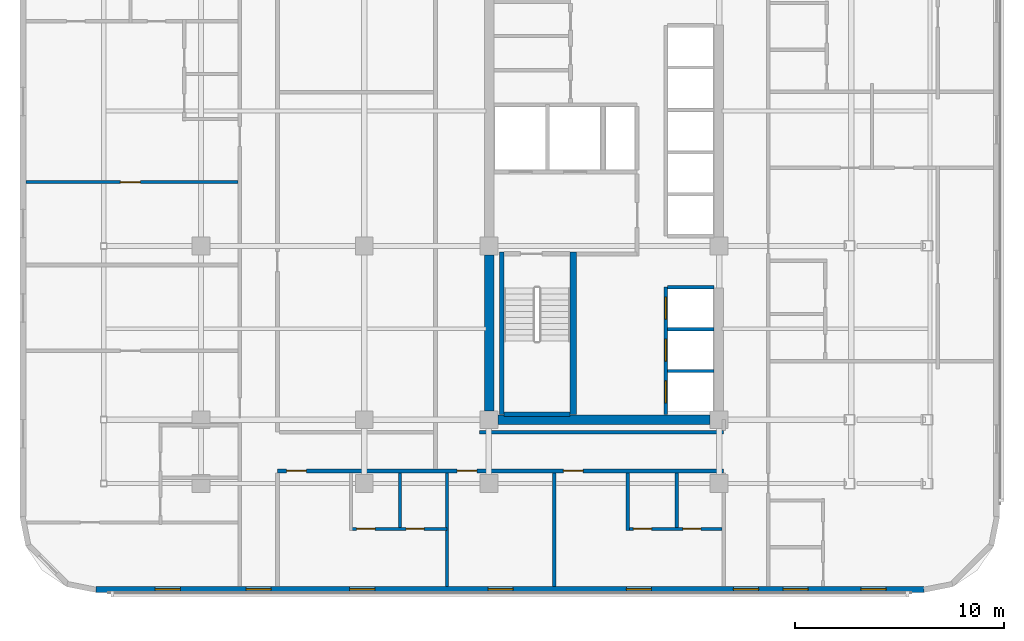
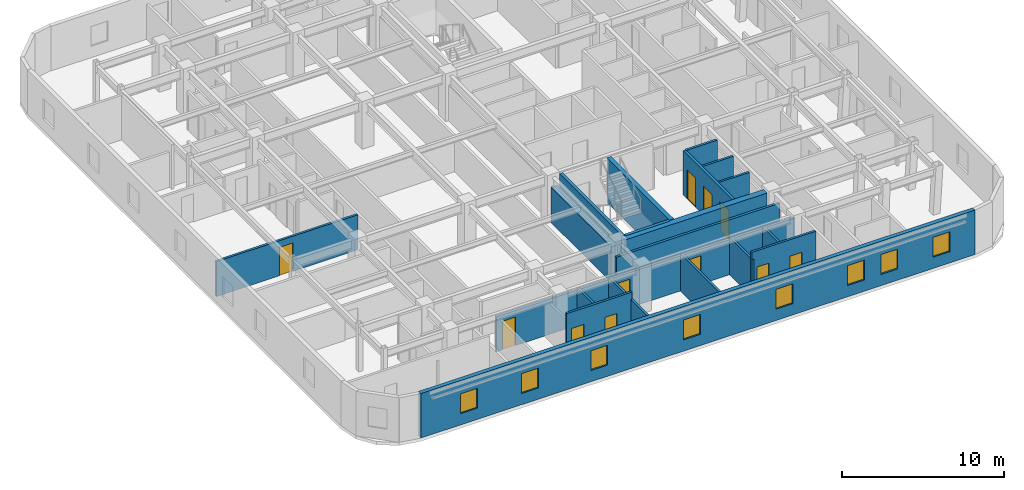
# One storey, part 6 of 14: 20 walls, 11 doors, 8 windows, 19 openings.
"""IFC4 building model written with IfcOpenShell, lengths in metres."""

import ifcopenshell
import ifcopenshell.guid

model = None  # the IFC model being written
_history = None  # IfcOwnerHistory: only IFC2X3 demands one
_inside = {}  # id of a spatial element -> (the spatial element, [elements in it])
_under = {}  # id of a project, library or spatial element -> (it, [spatial elements below it])
_declared = {}  # id of a project -> (the project, [libraries it declares])
_typed = {}  # id of a type object -> (the type object, [elements of that type])
_made_of = {}  # id of a material, layer set ... -> (it, [elements and type objects made of it])


def new_model(schema):
    """Start an empty IFC model of exactly this schema.

    Asked for "IFC4X3", IfcOpenShell would pick the latest addendum, in which some entities
    have other attributes; the version numbers below select the first issue.
    IFC2X3 requires an IfcOwnerHistory on every rooted entity: one is made here for all.
    """
    global model, _history
    if schema == "IFC4X3":
        model = ifcopenshell.file(schema_version=(4, 3, 0, 0))
    else:
        model = ifcopenshell.file(schema=schema)
    _inside.clear()
    _under.clear()
    _declared.clear()
    _typed.clear()
    _made_of.clear()
    _history = None
    if model.schema == "IFC2X3":
        org = make("IfcOrganization", Name="unknown")
        user = make(
            "IfcPersonAndOrganization",
            ThePerson=make("IfcPerson", FamilyName="unknown"),
            TheOrganization=org,
        )
        app = make(
            "IfcApplication",
            ApplicationDeveloper=org,
            Version="unknown",
            ApplicationFullName="unknown",
            ApplicationIdentifier="unknown",
        )
        _history = make(
            "IfcOwnerHistory",
            OwningUser=user,
            OwningApplication=app,
            ChangeAction="ADDED",
            CreationDate=0,
        )
    return model


def make(cls, **values):
    """One entity of the class cls with the attributes given. An attribute that is None is left unset."""
    return model.create_entity(
        cls, **{name: value for name, value in values.items() if value is not None}
    )


def rooted(cls, **values):
    """An entity with a GlobalId (a new one), such as an element, a storey or a relation."""
    return make(cls, GlobalId=ifcopenshell.guid.new(), OwnerHistory=_history, **values)


def si_unit(unit_type, name, prefix=None):
    """IfcSIUnit, for example si_unit("LENGTHUNIT", "METRE", prefix="MILLI")."""
    return make("IfcSIUnit", UnitType=unit_type, Prefix=prefix, Name=name)


def assignment(units):
    """IfcUnitAssignment: the units of a project."""
    return None if units is None else make("IfcUnitAssignment", Units=units)


def point(xyz):
    """IfcCartesianPoint."""
    return None if xyz is None else make("IfcCartesianPoint", Coordinates=xyz)


def direction(xyz):
    """IfcDirection."""
    return None if xyz is None else make("IfcDirection", DirectionRatios=xyz)


def frame(location, z_axis=None, x_axis=None):
    """IfcAxis2Placement3D, a coordinate frame: its origin and axes. An axis left out is left unset."""
    return make(
        "IfcAxis2Placement3D",
        Location=point(location),
        Axis=direction(z_axis),
        RefDirection=direction(x_axis),
    )


def frame_2d(location, x_axis=None):
    """IfcAxis2Placement2D, a coordinate frame in the plane: its origin and x axis."""
    return make(
        "IfcAxis2Placement2D", Location=point(location), RefDirection=direction(x_axis)
    )


def origin():
    """The frame at (0, 0, 0) with its axes left unset."""
    return frame((0.0, 0.0, 0.0))


def place(relative_to, where):
    """IfcLocalPlacement: puts the frame where relative to a parent placement (None: the world)."""
    return make(
        "IfcLocalPlacement", PlacementRelTo=relative_to, RelativePlacement=where
    )


def context(
    kind, dimensions, precision=None, world=None, true_north=None, identifier=None
):
    """IfcGeometricRepresentationContext, for example the 3D "Model" context."""
    return make(
        "IfcGeometricRepresentationContext",
        ContextIdentifier=identifier,
        ContextType=kind,
        CoordinateSpaceDimension=dimensions,
        Precision=precision,
        WorldCoordinateSystem=world,
        TrueNorth=true_north,
    )


def subcontext(parent, identifier, kind, view, scale=None):
    """IfcGeometricRepresentationSubContext, for example "Body" below "Model"."""
    return make(
        "IfcGeometricRepresentationSubContext",
        ContextIdentifier=identifier,
        ContextType=kind,
        ParentContext=parent,
        TargetScale=scale,
        TargetView=view,
    )


def project(units=None, contexts=None):
    """IfcProject with its units and contexts."""
    return rooted(
        "IfcProject",
        Name="project",
        RepresentationContexts=contexts,
        UnitsInContext=assignment(units),
    )


def spatial(cls, under=None, at=None, **own):
    """A site, building, storey or space (cls), placed at a placement, below another one or the project."""
    s = rooted(cls, ObjectPlacement=at, **own)
    if under is not None:
        _under.setdefault(under.id(), (under, []))[1].append(s)
    return s


def profile(cls, at=None, kind="AREA", **sizes):
    """A parametric profile (cls). Its sizes go by their IFC names, for example OverallWidth=200.0."""
    return make(cls, ProfileType=kind, Position=at, **sizes)


def rectangle(**sizes):
    """IfcRectangleProfileDef."""
    return profile("IfcRectangleProfileDef", **sizes)


def extrude(swept, where, along, depth):
    """IfcExtrudedAreaSolid: the profile swept, set in the frame where, extruded along a direction by depth."""
    return make(
        "IfcExtrudedAreaSolid",
        SweptArea=swept,
        Position=where,
        ExtrudedDirection=direction(along),
        Depth=depth,
    )


def shape(context_of_items, identifier, shape_type, items):
    """IfcShapeRepresentation: the items that make up one representation, for example the "Body"."""
    return make(
        "IfcShapeRepresentation",
        ContextOfItems=context_of_items,
        RepresentationIdentifier=identifier,
        RepresentationType=shape_type,
        Items=items,
    )


def material(Name=None, Category=None):
    """IfcMaterial."""
    return make("IfcMaterial", Name=Name, Category=Category)


def layer(
    of_material, thickness, ventilated=None, Name=None, Category=None, Priority=None
):
    """IfcMaterialLayer: one layer of a wall or slab, of a material (None: an air gap)."""
    return make(
        "IfcMaterialLayer",
        Material=of_material,
        LayerThickness=thickness,
        IsVentilated=ventilated,
        Name=Name,
        Category=Category,
        Priority=Priority,
    )


def layer_set(layers, Name=None):
    """IfcMaterialLayerSet."""
    return make("IfcMaterialLayerSet", MaterialLayers=layers, LayerSetName=Name)


def made_of(thing, what):
    """Note that an element or type object is made of a material, layer set ...; save() writes the relation."""
    if what is not None:
        _made_of.setdefault(what.id(), (what, []))[1].append(thing)
    return thing


def type_object(cls, material=None, **own):
    """A type object (cls), such as IfcWallType, which elements share."""
    return made_of(rooted(cls, **own), material)


def element(
    cls,
    number,
    at=None,
    inside=None,
    cuts=None,
    type_object=None,
    material=None,
    context=None,
    identifier="Body",
    shape_type=None,
    held_by="IfcProductDefinitionShape",
    body=None,
    shapes=None,
    **own,
):
    """One element of the class cls, such as IfcWall. Its Tag is "e" and its number.

    at: its placement. inside: the storey or other place that contains it. cuts: it is an
    opening in that element (IfcRelVoidsElement). A single representation is given by context,
    identifier, shape_type and body (its items); several are given by shapes. held_by: the class
    of the entity that holds the representations. save() writes the other relations.
    """
    e = rooted(cls, Tag="e%d" % number, ObjectPlacement=at, **own)
    if body is not None:
        shapes = [shape(context, identifier, shape_type, body)]
    if shapes is not None:
        e.Representation = make(held_by, Representations=shapes)
    if inside is not None:
        _inside.setdefault(inside.id(), (inside, []))[1].append(e)
    if cuts is not None:
        rooted(
            "IfcRelVoidsElement", RelatingBuildingElement=cuts, RelatedOpeningElement=e
        )
    if type_object is not None:
        _typed.setdefault(type_object.id(), (type_object, []))[1].append(e)
    return made_of(e, material)


def fill(opening, filler):
    """IfcRelFillsElement: the door or window that sits in an opening."""
    return rooted(
        "IfcRelFillsElement",
        RelatingOpeningElement=opening,
        RelatedBuildingElement=filler,
    )


def aggregate(whole, parts):
    """IfcRelAggregates: a whole, such as a stair, and the parts it consists of."""
    return rooted("IfcRelAggregates", RelatingObject=whole, RelatedObjects=parts)


def save(model, path):
    """Write the relations noted so far, then the file.

    IfcRelAggregates (storeys below a building ...), IfcRelContainedInSpatialStructure (elements
    in a storey), IfcRelDefinesByType, IfcRelAssociatesMaterial and IfcRelDeclares: one each for
    every whole, place, type object, material and project.
    """
    for whole, parts in _under.values():
        aggregate(whole, parts)
    for where, things in _inside.values():
        rooted(
            "IfcRelContainedInSpatialStructure",
            RelatedElements=things,
            RelatingStructure=where,
        )
    for kind, things in _typed.values():
        rooted("IfcRelDefinesByType", RelatedObjects=things, RelatingType=kind)
    for what, things in _made_of.values():
        rooted("IfcRelAssociatesMaterial", RelatedObjects=things, RelatingMaterial=what)
    for by, libraries in _declared.values():
        rooted("IfcRelDeclares", RelatingContext=by, RelatedDefinitions=libraries)
    model.write(path)


model = new_model("IFC4")

# Units and contexts
model_context = context("Model", 3, precision=1e-05, world=origin(), true_north=direction((0.0, 1.0)))
body_context = subcontext(model_context, "Body", "Model", "MODEL_VIEW")
ifc_project = project(units=[si_unit("LENGTHUNIT", "METRE"), si_unit("AREAUNIT", "SQUARE_METRE"), si_unit("VOLUMEUNIT", "CUBIC_METRE"), si_unit("PLANEANGLEUNIT", "RADIAN"), si_unit("MASSUNIT", "GRAM", prefix="KILO")], contexts=[model_context])

# Site, building, storey
site_placement = place(None, origin())
site = spatial("IfcSite", under=ifc_project, at=site_placement, CompositionType="ELEMENT")
building_placement = place(site_placement, origin())
building = spatial("IfcBuilding", under=site, at=building_placement, Name="Ochreholt Gables", CompositionType="ELEMENT")
storey_placement = place(building_placement, frame((0.0, 0.0, 42.0)))
storey = spatial("IfcBuildingStorey", under=building, at=storey_placement, Name="L10", CompositionType="ELEMENT", Elevation=42.0)

# Walls
ifc_material_1 = material(Name="Concrete 60 MPa", Category="concrete")
ifc_layer_1 = layer(ifc_material_1, 0.449951171875, Name="Concrete 60 MPa")
ifc_layer_set_1 = layer_set([ifc_layer_1], Name="Concrete 60 MPa")
wall_type_1 = type_object("IfcWallType", Name="WALL-CSW-450", PredefinedType="SHEAR", material=ifc_layer_set_1)
wall_1_placement = place(storey_placement, frame((24.22509765625, 9.675048828125, 0.0), z_axis=(0.0, 0.0, 1.0), x_axis=(0.0, 1.0, 0.0)))
element("IfcWall", 1, at=wall_1_placement, inside=storey, type_object=wall_type_1, Name="L10 Core West Shear Wall WS", PredefinedType="SHEAR", context=body_context, shape_type="SweptSolid", body=[
    extrude(rectangle(XDim=7.449951171875, YDim=0.449951171875, at=frame_2d((3.72509765625, 0.0))), origin(), (0.0, 0.0, 1.0), 2.6669921875),
])
wall_2_placement = place(storey_placement, frame((24.625, 9.25, 0.0), z_axis=(0.0, 0.0, 1.0), x_axis=(1.0, 0.0, 0.0)))
element("IfcWall", 2, at=wall_2_placement, inside=storey, type_object=wall_type_1, Name="L10 Core South Shear Wall", PredefinedType="SHEAR", context=body_context, shape_type="SweptSolid", body=[
    extrude(rectangle(XDim=10.14990234375, YDim=0.449951171875, at=frame_2d((5.074951171875, 0.0))), origin(), (0.0, 0.0, 1.0), 3.360107421875),
])

# Wall, openings, windows
ifc_material_2 = material(Name="Precast concrete 40 MPa", Category="concrete")
ifc_layer_2 = layer(ifc_material_2, 0.2900390625, Name="Precast concrete 40 MPa")
ifc_layer_set_2 = layer_set([ifc_layer_2], Name="Precast concrete 40 MPa")
wall_type_2 = type_object("IfcWallType", Name="WALL-EXT-290", PredefinedType="SOLIDWALL", material=ifc_layer_set_2)
wall_3_placement = place(storey_placement, frame((5.419921875, 1.14501953125, 0.0), z_axis=(0.0, 0.0, 1.0), x_axis=(1.0, 0.0, 0.0)))
wall_3 = element("IfcWall", 3, at=wall_3_placement, inside=storey, type_object=wall_type_2, Name="L10 South Exterior Wall", PredefinedType="SOLIDWALL", context=body_context, shape_type="SweptSolid", body=[
    extrude(rectangle(XDim=39.56005859375, YDim=0.2900390625, at=frame_2d((19.780029296875, 0.0))), origin(), (0.0, 0.0, 1.0), 3.360107421875),
])
opening_1_placement = place(wall_3_placement, frame((2.840087890625, 0.0, 0.85009765625)))
opening_1 = element("IfcOpeningElement", 4, at=opening_1_placement, cuts=wall_3, Name="Opening WN-3", PredefinedType="OPENING", context=body_context, shape_type="SweptSolid", body=[
    extrude(rectangle(XDim=1.199951171875, YDim=1.5, at=frame_2d((0.60009765625, 0.75))), frame((0.0, 0.155029296875, 0.0), z_axis=(0.0, -1.0, 0.0), x_axis=(1.0, 0.0, 0.0)), (0.0, 0.0, 1.0), 0.31005859375),
])
opening_2_placement = place(wall_3_placement, frame((7.179931640625, 0.0, 0.85009765625)))
opening_2 = element("IfcOpeningElement", 5, at=opening_2_placement, cuts=wall_3, Name="Opening WN-3", PredefinedType="OPENING", context=body_context, shape_type="SweptSolid", body=[
    extrude(rectangle(XDim=1.199951171875, YDim=1.5, at=frame_2d((0.60009765625, 0.75))), frame((0.0, 0.155029296875, 0.0), z_axis=(0.0, -1.0, 0.0), x_axis=(1.0, 0.0, 0.0)), (0.0, 0.0, 1.0), 0.31005859375),
])
opening_3_placement = place(wall_3_placement, frame((12.130859375, 0.0, 0.85009765625)))
opening_3 = element("IfcOpeningElement", 6, at=opening_3_placement, cuts=wall_3, Name="Opening WN-3", PredefinedType="OPENING", context=body_context, shape_type="SweptSolid", body=[
    extrude(rectangle(XDim=1.199951171875, YDim=1.5, at=frame_2d((0.60009765625, 0.75))), frame((0.0, 0.155029296875, 0.0), z_axis=(0.0, -1.0, 0.0), x_axis=(1.0, 0.0, 0.0)), (0.0, 0.0, 1.0), 0.31005859375),
])
opening_4_placement = place(wall_3_placement, frame((18.739990234375, 0.0, 0.85009765625)))
opening_4 = element("IfcOpeningElement", 7, at=opening_4_placement, cuts=wall_3, Name="Opening WN-3", PredefinedType="OPENING", context=body_context, shape_type="SweptSolid", body=[
    extrude(rectangle(XDim=1.199951171875, YDim=1.5, at=frame_2d((0.60009765625, 0.75))), frame((0.0, 0.155029296875, 0.0), z_axis=(0.0, -1.0, 0.0), x_axis=(1.0, 0.0, 0.0)), (0.0, 0.0, 1.0), 0.31005859375),
])
opening_5_placement = place(wall_3_placement, frame((25.34912109375, 0.0, 0.85009765625)))
opening_5 = element("IfcOpeningElement", 8, at=opening_5_placement, cuts=wall_3, Name="Opening WN-3", PredefinedType="OPENING", context=body_context, shape_type="SweptSolid", body=[
    extrude(rectangle(XDim=1.199951171875, YDim=1.5, at=frame_2d((0.60009765625, 0.75))), frame((0.0, 0.155029296875, 0.0), z_axis=(0.0, -1.0, 0.0), x_axis=(1.0, 0.0, 0.0)), (0.0, 0.0, 1.0), 0.31005859375),
])
opening_6_placement = place(wall_3_placement, frame((30.465087890625, 0.0, 0.85009765625)))
opening_6 = element("IfcOpeningElement", 9, at=opening_6_placement, cuts=wall_3, Name="Opening WN-3", PredefinedType="OPENING", context=body_context, shape_type="SweptSolid", body=[
    extrude(rectangle(XDim=1.199951171875, YDim=1.5, at=frame_2d((0.60009765625, 0.75))), frame((0.0, 0.155029296875, 0.0), z_axis=(0.0, -1.0, 0.0), x_axis=(1.0, 0.0, 0.0)), (0.0, 0.0, 1.0), 0.31005859375),
])
opening_7_placement = place(wall_3_placement, frame((32.837890625, 0.0, 0.85009765625)))
opening_7 = element("IfcOpeningElement", 10, at=opening_7_placement, cuts=wall_3, Name="Opening WN-3", PredefinedType="OPENING", context=body_context, shape_type="SweptSolid", body=[
    extrude(rectangle(XDim=1.199951171875, YDim=1.5, at=frame_2d((0.60009765625, 0.75))), frame((0.0, 0.155029296875, 0.0), z_axis=(0.0, -1.0, 0.0), x_axis=(1.0, 0.0, 0.0)), (0.0, 0.0, 1.0), 0.31005859375),
])
opening_8_placement = place(wall_3_placement, frame((36.552978515625, 0.0, 0.85009765625)))
opening_8 = element("IfcOpeningElement", 11, at=opening_8_placement, cuts=wall_3, Name="Opening WN-3", PredefinedType="OPENING", context=body_context, shape_type="SweptSolid", body=[
    extrude(rectangle(XDim=1.199951171875, YDim=1.5, at=frame_2d((0.60009765625, 0.75))), frame((0.0, 0.155029296875, 0.0), z_axis=(0.0, -1.0, 0.0), x_axis=(1.0, 0.0, 0.0)), (0.0, 0.0, 1.0), 0.31005859375),
])
ifc_material_3 = material(Name="Triple-Glazed Thermally Broken Aluminium Window", Category="aluminium")
window_type = type_object("IfcWindowType", Name="WIN-RES-1200", PartitioningType="SINGLE_PANEL", PredefinedType="WINDOW", material=ifc_material_3)
window_1_placement = place(opening_1_placement, origin())
window_1 = element("IfcWindow", 12, at=window_1_placement, inside=storey, type_object=window_type, Name="L10 Window W-EXT-S-L10-1", OverallHeight=1.5, OverallWidth=1.199951171875, PartitioningType="SINGLE_PANEL", PredefinedType="WINDOW", context=body_context, shape_type="SweptSolid", body=[
    extrude(rectangle(XDim=1.199951171875, YDim=1.5, at=frame_2d((0.60009765625, 0.75))), frame((0.0, 0.030029296875, 0.0), z_axis=(0.0, -1.0, 0.0), x_axis=(1.0, 0.0, 0.0)), (0.0, 0.0, 1.0), 0.06005859375),
])
fill(opening_1, window_1)
window_2_placement = place(opening_2_placement, origin())
window_2 = element("IfcWindow", 13, at=window_2_placement, inside=storey, type_object=window_type, Name="L10 Window W-EXT-S-L10-2", OverallHeight=1.5, OverallWidth=1.199951171875, PartitioningType="SINGLE_PANEL", PredefinedType="WINDOW", context=body_context, shape_type="SweptSolid", body=[
    extrude(rectangle(XDim=1.199951171875, YDim=1.5, at=frame_2d((0.60009765625, 0.75))), frame((0.0, 0.030029296875, 0.0), z_axis=(0.0, -1.0, 0.0), x_axis=(1.0, 0.0, 0.0)), (0.0, 0.0, 1.0), 0.06005859375),
])
fill(opening_2, window_2)
window_3_placement = place(opening_3_placement, origin())
window_3 = element("IfcWindow", 14, at=window_3_placement, inside=storey, type_object=window_type, Name="L10 Window W-EXT-S-L10-3", OverallHeight=1.5, OverallWidth=1.199951171875, PartitioningType="SINGLE_PANEL", PredefinedType="WINDOW", context=body_context, shape_type="SweptSolid", body=[
    extrude(rectangle(XDim=1.199951171875, YDim=1.5, at=frame_2d((0.60009765625, 0.75))), frame((0.0, 0.030029296875, 0.0), z_axis=(0.0, -1.0, 0.0), x_axis=(1.0, 0.0, 0.0)), (0.0, 0.0, 1.0), 0.06005859375),
])
fill(opening_3, window_3)
window_4_placement = place(opening_4_placement, origin())
window_4 = element("IfcWindow", 15, at=window_4_placement, inside=storey, type_object=window_type, Name="L10 Window W-EXT-S-L10-4", OverallHeight=1.5, OverallWidth=1.199951171875, PartitioningType="SINGLE_PANEL", PredefinedType="WINDOW", context=body_context, shape_type="SweptSolid", body=[
    extrude(rectangle(XDim=1.199951171875, YDim=1.5, at=frame_2d((0.60009765625, 0.75))), frame((0.0, 0.030029296875, 0.0), z_axis=(0.0, -1.0, 0.0), x_axis=(1.0, 0.0, 0.0)), (0.0, 0.0, 1.0), 0.06005859375),
])
fill(opening_4, window_4)
window_5_placement = place(opening_5_placement, origin())
window_5 = element("IfcWindow", 16, at=window_5_placement, inside=storey, type_object=window_type, Name="L10 Window W-EXT-S-L10-5", OverallHeight=1.5, OverallWidth=1.199951171875, PartitioningType="SINGLE_PANEL", PredefinedType="WINDOW", context=body_context, shape_type="SweptSolid", body=[
    extrude(rectangle(XDim=1.199951171875, YDim=1.5, at=frame_2d((0.60009765625, 0.75))), frame((0.0, 0.030029296875, 0.0), z_axis=(0.0, -1.0, 0.0), x_axis=(1.0, 0.0, 0.0)), (0.0, 0.0, 1.0), 0.06005859375),
])
fill(opening_5, window_5)
window_6_placement = place(opening_6_placement, origin())
window_6 = element("IfcWindow", 17, at=window_6_placement, inside=storey, type_object=window_type, Name="L10 Window W-EXT-S-L10-6", OverallHeight=1.5, OverallWidth=1.199951171875, PartitioningType="SINGLE_PANEL", PredefinedType="WINDOW", context=body_context, shape_type="SweptSolid", body=[
    extrude(rectangle(XDim=1.199951171875, YDim=1.5, at=frame_2d((0.60009765625, 0.75))), frame((0.0, 0.030029296875, 0.0), z_axis=(0.0, -1.0, 0.0), x_axis=(1.0, 0.0, 0.0)), (0.0, 0.0, 1.0), 0.06005859375),
])
fill(opening_6, window_6)
window_7_placement = place(opening_7_placement, origin())
window_7 = element("IfcWindow", 18, at=window_7_placement, inside=storey, type_object=window_type, Name="L10 Window W-EXT-S-L10-7", OverallHeight=1.5, OverallWidth=1.199951171875, PartitioningType="SINGLE_PANEL", PredefinedType="WINDOW", context=body_context, shape_type="SweptSolid", body=[
    extrude(rectangle(XDim=1.199951171875, YDim=1.5, at=frame_2d((0.60009765625, 0.75))), frame((0.0, 0.030029296875, 0.0), z_axis=(0.0, -1.0, 0.0), x_axis=(1.0, 0.0, 0.0)), (0.0, 0.0, 1.0), 0.06005859375),
])
fill(opening_7, window_7)
window_8_placement = place(opening_8_placement, origin())
window_8 = element("IfcWindow", 19, at=window_8_placement, inside=storey, type_object=window_type, Name="L10 Window W-EXT-S-L10-8", OverallHeight=1.5, OverallWidth=1.199951171875, PartitioningType="SINGLE_PANEL", PredefinedType="WINDOW", context=body_context, shape_type="SweptSolid", body=[
    extrude(rectangle(XDim=1.199951171875, YDim=1.5, at=frame_2d((0.60009765625, 0.75))), frame((0.0, 0.030029296875, 0.0), z_axis=(0.0, -1.0, 0.0), x_axis=(1.0, 0.0, 0.0)), (0.0, 0.0, 1.0), 0.06005859375),
])
fill(opening_8, window_8)

# Wall, openings, doors
ifc_material_4 = material(Name="Fire-Rated Gypsum Acoustic Partition", Category="gypsum")
ifc_layer_3 = layer(ifc_material_4, 0.179931640625, Name="Fire-Rated Gypsum Acoustic Partition")
ifc_layer_set_3 = layer_set([ifc_layer_3], Name="Fire-Rated Gypsum Acoustic Partition")
wall_type_3 = type_object("IfcWallType", Name="WALL-INT-CR180", PredefinedType="STANDARD", material=ifc_layer_set_3)
wall_4_placement = place(storey_placement, frame((14.10009765625, 6.800048828125, 0.0), z_axis=(0.0, 0.0, 1.0), x_axis=(1.0, 0.0, 0.0)))
wall_4 = element("IfcWall", 20, at=wall_4_placement, inside=storey, type_object=wall_type_3, Name="L10 Interior Wall WI-C1S-L10", PredefinedType="STANDARD", context=body_context, shape_type="SweptSolid", body=[
    extrude(rectangle(XDim=21.31982421875, YDim=0.179931640625, at=frame_2d((10.659912109375, 0.0))), origin(), (0.0, 0.0, 1.0), 2.64892578125),
])
opening_9_placement = place(wall_4_placement, frame((0.43994140625, 0.0, 0.0)))
opening_9 = element("IfcOpeningElement", 21, at=opening_9_placement, cuts=wall_4, Name="Opening D-UN2", PredefinedType="OPENING", context=body_context, shape_type="SweptSolid", body=[
    extrude(rectangle(XDim=0.93994140625, YDim=2.14990234375, at=frame_2d((0.469970703125, 1.074951171875))), frame((0.0, 0.099853515625, 0.0), z_axis=(0.0, -1.0, 0.0), x_axis=(1.0, 0.0, 0.0)), (0.0, 0.0, 1.0), 0.199951171875),
])
opening_10_placement = place(wall_4_placement, frame((8.58154296875, 0.0, 0.0)))
opening_10 = element("IfcOpeningElement", 22, at=opening_10_placement, cuts=wall_4, Name="Opening D-GN1", PredefinedType="OPENING", context=body_context, shape_type="SweptSolid", body=[
    extrude(rectangle(XDim=0.949951171875, YDim=2.14990234375, at=frame_2d((0.47509765625, 1.074951171875))), frame((0.0, 0.099853515625, 0.0), z_axis=(0.0, -1.0, 0.0), x_axis=(1.0, 0.0, 0.0)), (0.0, 0.0, 1.0), 0.199951171875),
])
opening_11_placement = place(wall_4_placement, frame((13.658447265625, 0.0, 0.0)))
opening_11 = element("IfcOpeningElement", 23, at=opening_11_placement, cuts=wall_4, Name="Opening D-UN2", PredefinedType="OPENING", context=body_context, shape_type="SweptSolid", body=[
    extrude(rectangle(XDim=0.93994140625, YDim=2.14990234375, at=frame_2d((0.469970703125, 1.074951171875))), frame((0.0, 0.099853515625, 0.0), z_axis=(0.0, -1.0, 0.0), x_axis=(1.0, 0.0, 0.0)), (0.0, 0.0, 1.0), 0.199951171875),
])
ifc_material_5 = material(Name="Engineered Oak Timber", Category="wood")
door_type_1 = type_object("IfcDoorType", Name="DR-INT-GEN950", OperationType="NOTDEFINED", PredefinedType="DOOR", material=ifc_material_5)
door_1_placement = place(opening_10_placement, origin())
door_1 = element("IfcDoor", 24, at=door_1_placement, inside=storey, type_object=door_type_1, Name="L10 Door D-C1S3-L10", OperationType="SINGLE_SWING_LEFT", OverallHeight=2.14990234375, OverallWidth=0.949951171875, PredefinedType="DOOR", context=body_context, shape_type="SweptSolid", body=[
    extrude(rectangle(XDim=0.949951171875, YDim=2.14990234375, at=frame_2d((0.47509765625, 1.074951171875))), frame((0.0, 0.02490234375, 0.0), z_axis=(0.0, -1.0, 0.0), x_axis=(1.0, 0.0, 0.0)), (0.0, 0.0, 1.0), 0.050048828125),
])
fill(opening_10, door_1)
door_type_2 = type_object("IfcDoorType", Name="DR-INT-UNT940", OperationType="NOTDEFINED", PredefinedType="DOOR", material=ifc_material_5)
door_2_placement = place(opening_9_placement, origin())
door_2 = element("IfcDoor", 25, at=door_2_placement, inside=storey, type_object=door_type_2, Name="L10 Door D-U-L10S1-ENT", OperationType="SINGLE_SWING_RIGHT", OverallHeight=2.14990234375, OverallWidth=0.93994140625, PredefinedType="DOOR", context=body_context, shape_type="SweptSolid", body=[
    extrude(rectangle(XDim=0.93994140625, YDim=2.14990234375, at=frame_2d((0.469970703125, 1.074951171875))), frame((0.0, 0.02490234375, 0.0), z_axis=(0.0, -1.0, 0.0), x_axis=(1.0, 0.0, 0.0)), (0.0, 0.0, 1.0), 0.050048828125),
])
fill(opening_9, door_2)
door_3_placement = place(opening_11_placement, origin())
door_3 = element("IfcDoor", 26, at=door_3_placement, inside=storey, type_object=door_type_2, Name="L10 Door D-U-L10S3-ENT", OperationType="SINGLE_SWING_RIGHT", OverallHeight=2.14990234375, OverallWidth=0.93994140625, PredefinedType="DOOR", context=body_context, shape_type="SweptSolid", body=[
    extrude(rectangle(XDim=0.93994140625, YDim=2.14990234375, at=frame_2d((0.469970703125, 1.074951171875))), frame((0.0, 0.02490234375, 0.0), z_axis=(0.0, -1.0, 0.0), x_axis=(1.0, 0.0, 0.0)), (0.0, 0.0, 1.0), 0.050048828125),
])
fill(opening_11, door_3)

# Wall
wall_5_placement = place(storey_placement, frame((23.75, 8.64990234375, 0.0), z_axis=(0.0, 0.0, 1.0), x_axis=(1.0, 0.0, 0.0)))
element("IfcWall", 27, at=wall_5_placement, inside=storey, type_object=wall_type_3, Name="L10 Interior Wall WI-C1S2-L10", PredefinedType="STANDARD", context=body_context, shape_type="SweptSolid", body=[
    extrude(rectangle(XDim=11.669921875, YDim=0.179931640625, at=frame_2d((5.8349609375, 0.0))), origin(), (0.0, 0.0, 1.0), 2.64892578125),
])

# Wall, openings, doors
ifc_material_6 = material(Name="Moisture-Resistant Plumbing Chase Wall", Category="gypsum")
ifc_layer_4 = layer(ifc_material_6, 0.159912109375, Name="Moisture-Resistant Plumbing Chase Wall")
ifc_layer_set_4 = layer_set([ifc_layer_4], Name="Moisture-Resistant Plumbing Chase Wall")
wall_type_4 = type_object("IfcWallType", Name="WALL-INT-PL160", PredefinedType="PLUMBINGWALL", material=ifc_layer_set_4)
wall_6_placement = place(storey_placement, frame((17.531494140625, 4.030029296875, 0.0), z_axis=(0.0, 0.0, 1.0), x_axis=(1.0, 0.0, 0.0)))
wall_6 = element("IfcWall", 28, at=wall_6_placement, inside=storey, type_object=wall_type_4, Name="L10 Interior Wall WU-L10S1-WY", PredefinedType="PLUMBINGWALL", context=body_context, shape_type="SweptSolid", body=[
    extrude(rectangle(XDim=4.670166015625, YDim=0.159912109375, at=frame_2d((2.3349609375, 0.0))), origin(), (0.0, 0.0, 1.0), 3.360107421875),
])
opening_12_placement = place(wall_6_placement, frame((0.35009765625, 0.0, 0.0)))
opening_12 = element("IfcOpeningElement", 29, at=opening_12_placement, cuts=wall_6, Name="Opening D-GN2", PredefinedType="OPENING", context=body_context, shape_type="SweptSolid", body=[
    extrude(rectangle(XDim=0.8798828125, YDim=2.1201171875, at=frame_2d((0.43994140625, 1.06005859375))), frame((0.0, 0.08984375, 0.0), z_axis=(0.0, -1.0, 0.0), x_axis=(1.0, 0.0, 0.0)), (0.0, 0.0, 1.0), 0.179931640625),
])
opening_13_placement = place(wall_6_placement, frame((2.719970703125, 0.0, 0.0)))
opening_13 = element("IfcOpeningElement", 30, at=opening_13_placement, cuts=wall_6, Name="Opening D-BT1", PredefinedType="OPENING", context=body_context, shape_type="SweptSolid", body=[
    extrude(rectangle(XDim=0.860107421875, YDim=2.1201171875, at=frame_2d((0.43017578125, 1.06005859375))), frame((0.0, 0.08984375, 0.0), z_axis=(0.0, -1.0, 0.0), x_axis=(1.0, 0.0, 0.0)), (0.0, 0.0, 1.0), 0.179931640625),
])
door_type_3 = type_object("IfcDoorType", Name="DR-INT-BTH860", OperationType="NOTDEFINED", PredefinedType="DOOR", material=ifc_material_5)
door_4_placement = place(opening_13_placement, origin())
door_4 = element("IfcDoor", 31, at=door_4_placement, inside=storey, type_object=door_type_3, Name="L10 Door D-U-L10S1-BTH", OperationType="SINGLE_SWING_RIGHT", OverallHeight=2.1201171875, OverallWidth=0.860107421875, PredefinedType="DOOR", context=body_context, shape_type="SweptSolid", body=[
    extrude(rectangle(XDim=0.860107421875, YDim=2.1201171875, at=frame_2d((0.43017578125, 1.06005859375))), frame((0.0, 0.02490234375, 0.0), z_axis=(0.0, -1.0, 0.0), x_axis=(1.0, 0.0, 0.0)), (0.0, 0.0, 1.0), 0.050048828125),
])
fill(opening_13, door_4)
door_type_4 = type_object("IfcDoorType", Name="DR-INT-GEN880", OperationType="NOTDEFINED", PredefinedType="DOOR", material=ifc_material_5)
door_5_placement = place(opening_12_placement, origin())
door_5 = element("IfcDoor", 32, at=door_5_placement, inside=storey, type_object=door_type_4, Name="L10 Door D-U-L10S1-KIT", OperationType="SINGLE_SWING_LEFT", OverallHeight=2.1201171875, OverallWidth=0.8798828125, PredefinedType="DOOR", context=body_context, shape_type="SweptSolid", body=[
    extrude(rectangle(XDim=0.8798828125, YDim=2.1201171875, at=frame_2d((0.43994140625, 1.06005859375))), frame((0.0, 0.02490234375, 0.0), z_axis=(0.0, -1.0, 0.0), x_axis=(1.0, 0.0, 0.0)), (0.0, 0.0, 1.0), 0.050048828125),
])
fill(opening_12, door_5)

# Wall
wall_7_placement = place(storey_placement, frame((19.95166015625, 4.110107421875, 0.0), z_axis=(0.0, 0.0, 1.0), x_axis=(0.0, 1.0, 0.0)))
element("IfcWall", 33, at=wall_7_placement, inside=storey, type_object=wall_type_4, Name="L10 Interior Wall WU-L10S1-WK", PredefinedType="PLUMBINGWALL", context=body_context, shape_type="SweptSolid", body=[
    extrude(rectangle(XDim=2.599853515625, YDim=0.159912109375, at=frame_2d((1.2998046875, 0.0))), origin(), (0.0, 0.0, 1.0), 2.80908203125),
])

# Wall, openings, doors
wall_8_placement = place(storey_placement, frame((30.75, 4.030029296875, 0.0), z_axis=(0.0, 0.0, 1.0), x_axis=(1.0, 0.0, 0.0)))
wall_8 = element("IfcWall", 34, at=wall_8_placement, inside=storey, type_object=wall_type_4, Name="L10 Interior Wall WU-L10S3-WY", PredefinedType="PLUMBINGWALL", context=body_context, shape_type="SweptSolid", body=[
    extrude(rectangle(XDim=4.580078125, YDim=0.159912109375, at=frame_2d((2.2900390625, 0.0))), origin(), (0.0, 0.0, 1.0), 3.360107421875),
])
opening_14_placement = place(wall_8_placement, frame((0.35009765625, 0.0, 0.0)))
opening_14 = element("IfcOpeningElement", 35, at=opening_14_placement, cuts=wall_8, Name="Opening D-GN2", PredefinedType="OPENING", context=body_context, shape_type="SweptSolid", body=[
    extrude(rectangle(XDim=0.8798828125, YDim=2.1201171875, at=frame_2d((0.43994140625, 1.06005859375))), frame((0.0, 0.08984375, 0.0), z_axis=(0.0, -1.0, 0.0), x_axis=(1.0, 0.0, 0.0)), (0.0, 0.0, 1.0), 0.179931640625),
])
opening_15_placement = place(wall_8_placement, frame((2.719970703125, 0.0, 0.0)))
opening_15 = element("IfcOpeningElement", 36, at=opening_15_placement, cuts=wall_8, Name="Opening D-BT1", PredefinedType="OPENING", context=body_context, shape_type="SweptSolid", body=[
    extrude(rectangle(XDim=0.860107421875, YDim=2.1201171875, at=frame_2d((0.43017578125, 1.06005859375))), frame((0.0, 0.08984375, 0.0), z_axis=(0.0, -1.0, 0.0), x_axis=(1.0, 0.0, 0.0)), (0.0, 0.0, 1.0), 0.179931640625),
])
door_6_placement = place(opening_15_placement, origin())
door_6 = element("IfcDoor", 37, at=door_6_placement, inside=storey, type_object=door_type_3, Name="L10 Door D-U-L10S3-BTH", OperationType="SINGLE_SWING_RIGHT", OverallHeight=2.1201171875, OverallWidth=0.860107421875, PredefinedType="DOOR", context=body_context, shape_type="SweptSolid", body=[
    extrude(rectangle(XDim=0.860107421875, YDim=2.1201171875, at=frame_2d((0.43017578125, 1.06005859375))), frame((0.0, 0.02490234375, 0.0), z_axis=(0.0, -1.0, 0.0), x_axis=(1.0, 0.0, 0.0)), (0.0, 0.0, 1.0), 0.050048828125),
])
fill(opening_15, door_6)
door_7_placement = place(opening_14_placement, origin())
door_7 = element("IfcDoor", 38, at=door_7_placement, inside=storey, type_object=door_type_4, Name="L10 Door D-U-L10S3-KIT", OperationType="SINGLE_SWING_LEFT", OverallHeight=2.1201171875, OverallWidth=0.8798828125, PredefinedType="DOOR", context=body_context, shape_type="SweptSolid", body=[
    extrude(rectangle(XDim=0.8798828125, YDim=2.1201171875, at=frame_2d((0.43994140625, 1.06005859375))), frame((0.0, 0.02490234375, 0.0), z_axis=(0.0, -1.0, 0.0), x_axis=(1.0, 0.0, 0.0)), (0.0, 0.0, 1.0), 0.050048828125),
])
fill(opening_14, door_7)

# Walls
wall_9_placement = place(storey_placement, frame((30.830078125, 3.949951171875, 0.0), z_axis=(0.0, 0.0, 1.0), x_axis=(0.0, 1.0, 0.0)))
element("IfcWall", 39, at=wall_9_placement, inside=storey, type_object=wall_type_4, Name="L10 Interior Wall WU-L10S3-FY", PredefinedType="PLUMBINGWALL", context=body_context, shape_type="SweptSolid", body=[
    extrude(rectangle(XDim=2.760009765625, YDim=0.159912109375, at=frame_2d((1.3798828125, 0.0))), origin(), (0.0, 0.0, 1.0), 2.80908203125),
])
wall_10_placement = place(storey_placement, frame((33.169921875, 4.110107421875, 0.0), z_axis=(0.0, 0.0, 1.0), x_axis=(0.0, 1.0, 0.0)))
element("IfcWall", 40, at=wall_10_placement, inside=storey, type_object=wall_type_4, Name="L10 Interior Wall WU-L10S3-WK", PredefinedType="PLUMBINGWALL", context=body_context, shape_type="SweptSolid", body=[
    extrude(rectangle(XDim=2.599853515625, YDim=0.159912109375, at=frame_2d((1.2998046875, 0.0))), origin(), (0.0, 0.0, 1.0), 2.80908203125),
])

# Wall, opening, door
ifc_material_7 = material(Name="Gypsum Acoustic Stud Partition", Category="gypsum")
ifc_layer_5 = layer(ifc_material_7, 0.159912109375, Name="Gypsum Acoustic Stud Partition")
ifc_layer_set_5 = layer_set([ifc_layer_5], Name="Gypsum Acoustic Stud Partition")
wall_type_5 = type_object("IfcWallType", Name="WALL-INT-PT160", PredefinedType="PARTITIONING", material=ifc_layer_set_5)
wall_11_placement = place(storey_placement, frame((2.090087890625, 20.601806640625, 0.0), z_axis=(0.0, 0.0, 1.0), x_axis=(1.0, 0.0, 0.0)))
wall_11 = element("IfcWall", 41, at=wall_11_placement, inside=storey, type_object=wall_type_5, Name="L10 Interior Wall WU-L10W2-DNW", PredefinedType="PARTITIONING", context=body_context, shape_type="SweptSolid", body=[
    extrude(rectangle(XDim=10.119873046875, YDim=0.159912109375, at=frame_2d((5.06005859375, 0.0))), origin(), (0.0, 0.0, 1.0), 2.64892578125),
])
opening_16_placement = place(wall_11_placement, frame((4.510009765625, 0.0, 0.0)))
opening_16 = element("IfcOpeningElement", 42, at=opening_16_placement, cuts=wall_11, Name="Opening D-GN1", PredefinedType="OPENING", context=body_context, shape_type="SweptSolid", body=[
    extrude(rectangle(XDim=0.949951171875, YDim=2.14990234375, at=frame_2d((0.47509765625, 1.074951171875))), frame((0.0, 0.08984375, 0.0), z_axis=(0.0, -1.0, 0.0), x_axis=(1.0, 0.0, 0.0)), (0.0, 0.0, 1.0), 0.179931640625),
])
door_8_placement = place(opening_16_placement, origin())
door_8 = element("IfcDoor", 43, at=door_8_placement, inside=storey, type_object=door_type_1, Name="L10 Door D-U-L10W2-DIN", OperationType="SINGLE_SWING_RIGHT", OverallHeight=2.14990234375, OverallWidth=0.949951171875, PredefinedType="DOOR", context=body_context, shape_type="SweptSolid", body=[
    extrude(rectangle(XDim=0.949951171875, YDim=2.14990234375, at=frame_2d((0.47509765625, 1.074951171875))), frame((0.0, 0.02490234375, 0.0), z_axis=(0.0, -1.0, 0.0), x_axis=(1.0, 0.0, 0.0)), (0.0, 0.0, 1.0), 0.050048828125),
])
fill(opening_16, door_8)

# Walls
for number, where, z_axis, x_axis, name in (
    (44, (22.20166015625, 1.2900390625, 0.0), (0.0, 0.0, 1.0), (0.0, 1.0, 0.0), "L10 Interior Wall WI-UDS2-L10"),
    (45, (27.318359375, 1.2900390625, 0.0), (0.0, 0.0, 1.0), (0.0, 1.0, 0.0), "L10 Interior Wall WI-UDS3-L10"),
):
    element("IfcWall", number, at=place(storey_placement, frame(where, z_axis=z_axis, x_axis=x_axis)), inside=storey, type_object=wall_type_5, Name=name, PredefinedType="PARTITIONING", context=body_context, shape_type="SweptSolid", body=[
        extrude(rectangle(XDim=5.419921875, YDim=0.159912109375, at=frame_2d((2.7099609375, 0.0))), origin(), (0.0, 0.0, 1.0), 2.80908203125),
    ])
ifc_material_8 = material(Name="Gypsum Shaftliner and Steel Stud", Category="steel")
ifc_layer_6 = layer(ifc_material_8, 0.14990234375, Name="Gypsum Shaftliner and Steel Stud")
ifc_layer_set_6 = layer_set([ifc_layer_6], Name="Gypsum Shaftliner and Steel Stud")
wall_type_6 = type_object("IfcWallType", Name="WALL-INT-SH150", PredefinedType="STANDARD", material=ifc_layer_set_6)
for number, where, z_axis, x_axis, name in (
    (46, (32.739990234375, 11.570068359375, 0.0), (0.0, 0.0, 1.0), (1.0, 0.0, 0.0), "L10 Interior Wall WI-LFL-D1-L10"),
    (47, (32.739990234375, 13.570068359375, 0.0), (0.0, 0.0, 1.0), (1.0, 0.0, 0.0), "L10 Interior Wall WI-LFL-D2-L10"),
):
    element("IfcWall", number, at=place(storey_placement, frame(where, z_axis=z_axis, x_axis=x_axis)), inside=storey, type_object=wall_type_6, Name=name, PredefinedType="STANDARD", context=body_context, shape_type="SweptSolid", body=[
        extrude(rectangle(XDim=2.2099609375, YDim=0.14990234375, at=frame_2d((1.10498046875, 0.0))), origin(), (0.0, 0.0, 1.0), 3.360107421875),
    ])

# Wall, openings, doors
ifc_layer_7 = layer(ifc_material_8, 0.179931640625, Name="Gypsum Shaftliner and Steel Stud")
ifc_layer_set_7 = layer_set([ifc_layer_7], Name="Gypsum Shaftliner and Steel Stud")
wall_type_7 = type_object("IfcWallType", Name="WALL-INT-SH180", PredefinedType="STANDARD", material=ifc_layer_set_7)
wall_12_placement = place(storey_placement, frame((32.64990234375, 9.5, 0.0), z_axis=(0.0, 0.0, 1.0), x_axis=(0.0, 1.0, 0.0)))
wall_12 = element("IfcWall", 48, at=wall_12_placement, inside=storey, type_object=wall_type_7, Name="L10 Interior Wall WI-LFL-FR-L10", PredefinedType="STANDARD", context=body_context, shape_type="SweptSolid", body=[
    extrude(rectangle(XDim=6.080078125, YDim=0.179931640625, at=frame_2d((3.0400390625, 0.0))), origin(), (0.0, 0.0, 1.0), 3.360107421875),
])
opening_17_placement = place(wall_12_placement, frame((0.550048828125, 0.0, 0.0)))
opening_17 = element("IfcOpeningElement", 49, at=opening_17_placement, cuts=wall_12, Name="Opening LD-PX", PredefinedType="OPENING", context=body_context, shape_type="SweptSolid", body=[
    extrude(rectangle(XDim=1.050048828125, YDim=2.199951171875, at=frame_2d((0.52490234375, 1.10009765625))), frame((0.0, 0.099853515625, 0.0), z_axis=(0.0, -1.0, 0.0), x_axis=(1.0, 0.0, 0.0)), (0.0, 0.0, 1.0), 0.199951171875),
])
opening_18_placement = place(wall_12_placement, frame((2.550048828125, 0.0, 0.0)))
opening_18 = element("IfcOpeningElement", 50, at=opening_18_placement, cuts=wall_12, Name="Opening LD-PX", PredefinedType="OPENING", context=body_context, shape_type="SweptSolid", body=[
    extrude(rectangle(XDim=1.050048828125, YDim=2.199951171875, at=frame_2d((0.52490234375, 1.10009765625))), frame((0.0, 0.099853515625, 0.0), z_axis=(0.0, -1.0, 0.0), x_axis=(1.0, 0.0, 0.0)), (0.0, 0.0, 1.0), 0.199951171875),
])
opening_19_placement = place(wall_12_placement, frame((4.550048828125, 0.0, 0.0)))
opening_19 = element("IfcOpeningElement", 51, at=opening_19_placement, cuts=wall_12, Name="Opening LD-PX", PredefinedType="OPENING", context=body_context, shape_type="SweptSolid", body=[
    extrude(rectangle(XDim=1.050048828125, YDim=2.199951171875, at=frame_2d((0.52490234375, 1.10009765625))), frame((0.0, 0.099853515625, 0.0), z_axis=(0.0, -1.0, 0.0), x_axis=(1.0, 0.0, 0.0)), (0.0, 0.0, 1.0), 0.199951171875),
])
ifc_material_9 = material(Name="Stainless Steel", Category="steel")
door_type_5 = type_object("IfcDoorType", Name="DR-LFT-PX1050", OperationType="NOTDEFINED", PredefinedType="DOOR", material=ifc_material_9)
door_9_placement = place(opening_17_placement, origin())
door_9 = element("IfcDoor", 52, at=door_9_placement, inside=storey, type_object=door_type_5, Name="L10 Door LD-L1-L10", OperationType="SLIDING_TO_LEFT", OverallHeight=2.199951171875, OverallWidth=1.050048828125, PredefinedType="DOOR", context=body_context, shape_type="SweptSolid", body=[
    extrude(rectangle(XDim=1.050048828125, YDim=2.199951171875, at=frame_2d((0.52490234375, 1.10009765625))), frame((0.0, 0.02490234375, 0.0), z_axis=(0.0, -1.0, 0.0), x_axis=(1.0, 0.0, 0.0)), (0.0, 0.0, 1.0), 0.050048828125),
])
fill(opening_17, door_9)
door_10_placement = place(opening_18_placement, origin())
door_10 = element("IfcDoor", 53, at=door_10_placement, inside=storey, type_object=door_type_5, Name="L10 Door LD-L2-L10", OperationType="SLIDING_TO_LEFT", OverallHeight=2.199951171875, OverallWidth=1.050048828125, PredefinedType="DOOR", context=body_context, shape_type="SweptSolid", body=[
    extrude(rectangle(XDim=1.050048828125, YDim=2.199951171875, at=frame_2d((0.52490234375, 1.10009765625))), frame((0.0, 0.02490234375, 0.0), z_axis=(0.0, -1.0, 0.0), x_axis=(1.0, 0.0, 0.0)), (0.0, 0.0, 1.0), 0.050048828125),
])
fill(opening_18, door_10)
door_11_placement = place(opening_19_placement, origin())
door_11 = element("IfcDoor", 54, at=door_11_placement, inside=storey, type_object=door_type_5, Name="L10 Door LD-L3-L10", OperationType="SLIDING_TO_LEFT", OverallHeight=2.199951171875, OverallWidth=1.050048828125, PredefinedType="DOOR", context=body_context, shape_type="SweptSolid", body=[
    extrude(rectangle(XDim=1.050048828125, YDim=2.199951171875, at=frame_2d((0.52490234375, 1.10009765625))), frame((0.0, 0.02490234375, 0.0), z_axis=(0.0, -1.0, 0.0), x_axis=(1.0, 0.0, 0.0)), (0.0, 0.0, 1.0), 0.050048828125),
])
fill(opening_19, door_11)

# Walls
wall_13_placement = place(storey_placement, frame((32.739990234375, 15.580078125, 0.0), z_axis=(0.0, 0.0, 1.0), x_axis=(1.0, 0.0, 0.0)))
element("IfcWall", 55, at=wall_13_placement, inside=storey, type_object=wall_type_7, Name="L10 Interior Wall WI-LFL-N-L10", PredefinedType="STANDARD", context=body_context, shape_type="SweptSolid", body=[
    extrude(rectangle(XDim=2.2099609375, YDim=0.179931640625, at=frame_2d((1.10498046875, 0.0))), origin(), (0.0, 0.0, 1.0), 3.360107421875),
])
ifc_layer_8 = layer(ifc_material_1, 0.300048828125, Name="Concrete 60 MPa")
ifc_layer_set_8 = layer_set([ifc_layer_8], Name="Concrete 60 MPa")
wall_type_8 = type_object("IfcWallType", Name="WALL-SPN-300", PredefinedType="SHEAR", material=ifc_layer_set_8)
wall_14_placement = place(storey_placement, frame((28.22998046875, 9.5, 0.0), z_axis=(0.0, 0.0, 1.0), x_axis=(0.0, 1.0, 0.0)))
element("IfcWall", 56, at=wall_14_placement, inside=storey, type_object=wall_type_8, Name="L10 Core South Spine Shear Wall", PredefinedType="SHEAR", context=body_context, shape_type="SweptSolid", body=[
    extrude(rectangle(XDim=7.760009765625, YDim=0.300048828125, at=frame_2d((3.8798828125, 0.0))), origin(), (0.0, 0.0, 1.0), 3.360107421875),
])
ifc_material_10 = material(Name="Concrete 50 MPa", Category="concrete")
ifc_layer_9 = layer(ifc_material_10, 0.219970703125, Name="Concrete 50 MPa")
ifc_layer_set_9 = layer_set([ifc_layer_9], Name="Concrete 50 MPa")
wall_type_9 = type_object("IfcWallType", Name="WALL-STW-220", PredefinedType="SHEAR", material=ifc_layer_set_9)
wall_15_placement = place(storey_placement, frame((24.81005859375, 9.5, 0.0), z_axis=(0.0, 0.0, 1.0), x_axis=(0.0, 1.0, 0.0)))
element("IfcWall", 57, at=wall_15_placement, inside=storey, type_object=wall_type_9, Name="L10 Exit Stair 1 West Wall", PredefinedType="SHEAR", context=body_context, shape_type="SweptSolid", body=[
    extrude(rectangle(XDim=7.760009765625, YDim=0.219970703125, at=frame_2d((3.8798828125, 0.0))), origin(), (0.0, 0.0, 1.0), 3.360107421875),
])
wall_16_placement = place(storey_placement, frame((24.919921875, 9.510009765625, 0.0), z_axis=(0.0, 0.0, 1.0), x_axis=(1.0, 0.0, 0.0)))
element("IfcWall", 58, at=wall_16_placement, inside=storey, type_object=wall_type_9, Name="L10 Exit Stair 1 South Wall", PredefinedType="SHEAR", context=body_context, shape_type="SweptSolid", body=[
    extrude(rectangle(XDim=3.16015625, YDim=0.219970703125, at=frame_2d((1.580078125, 0.0))), origin(), (0.0, 0.0, 1.0), 3.360107421875),
])

save(model, "model.ifc")
